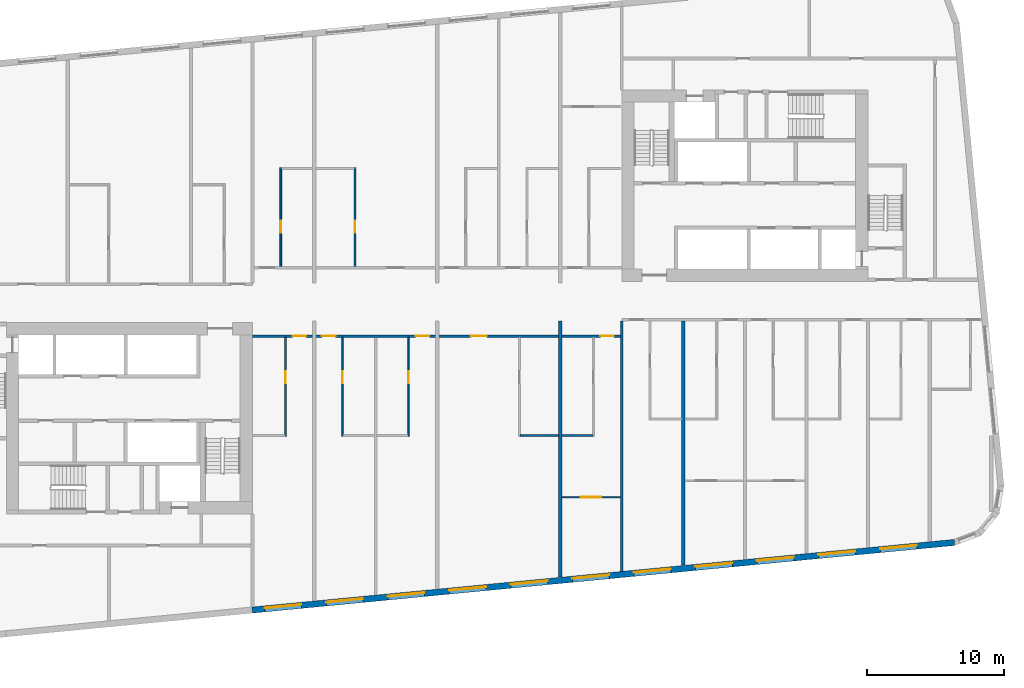
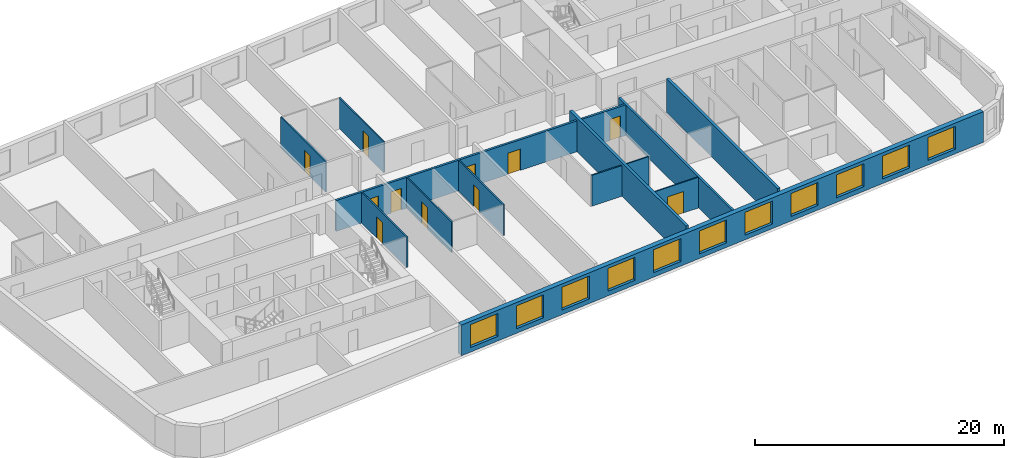
# One storey, part 4 of 12: 13 walls, 11 doors, 11 windows, 22 openings.
"""IFC4 building model written with IfcOpenShell, lengths in metres."""

from ifc_helpers import new_model, si_unit, direction, frame, frame_2d, origin, place, context, subcontext, project, spatial, rectangle, extrude, material, layer, layer_set, type_object, element, fill, save


model = new_model("IFC4")

# Units and contexts
model_context = context("Model", 3, precision=1e-05, world=origin(), true_north=direction((0.0, 1.0)))
body_context = subcontext(model_context, "Body", "Model", "MODEL_VIEW")
ifc_project = project(units=[si_unit("LENGTHUNIT", "METRE"), si_unit("AREAUNIT", "SQUARE_METRE"), si_unit("VOLUMEUNIT", "CUBIC_METRE"), si_unit("PLANEANGLEUNIT", "RADIAN"), si_unit("MASSUNIT", "GRAM", prefix="KILO")], contexts=[model_context])

# Site, building, storey
site_placement = place(None, origin())
site = spatial("IfcSite", under=ifc_project, at=site_placement, CompositionType="ELEMENT")
building_placement = place(site_placement, origin())
building = spatial("IfcBuilding", under=site, at=building_placement, Name="Kajstack Hotel Tower", CompositionType="ELEMENT")
storey_placement = place(building_placement, frame((0.0, 0.0, 193.300048828125)))
storey = spatial("IfcBuildingStorey", under=building, at=storey_placement, Name="L46", CompositionType="ELEMENT", Elevation=193.300048828125)

# Wall, openings, doors
ifc_material_1 = material(Name="Gypsum board on steel studs, mineral wool", Category="steel")
ifc_layer_1 = layer(ifc_material_1, 0.199951171875)
ifc_layer_set_1 = layer_set([ifc_layer_1], Name="Corridor wall 200")
wall_type_1 = type_object("IfcWallType", Name="Corridor wall 200", PredefinedType="PARTITIONING", material=ifc_layer_set_1)
wall_1_placement = place(storey_placement, frame((-13.5, -2.5, 0.0), z_axis=(0.0, 0.0, 1.0), x_axis=(1.0, 0.0, 0.0)))
wall_1 = element("IfcWall", 1, at=wall_1_placement, inside=storey, type_object=wall_type_1, Name="G-wall-L46-026", PredefinedType="PARTITIONING", context=body_context, shape_type="SweptSolid", body=[
    extrude(rectangle(XDim=27.0, YDim=0.199951171875, at=frame_2d((13.5, 0.0))), origin(), (0.0, 0.0, 1.0), 3.02001953125),
])
opening_1_placement = place(wall_1_placement, frame((2.925048828125, 0.0, 0.0)))
opening_1 = element("IfcOpeningElement", 2, at=opening_1_placement, cuts=wall_1, Name="Opening 46020", PredefinedType="OPENING", context=body_context, shape_type="SweptSolid", body=[
    extrude(rectangle(XDim=1.0, YDim=2.10009765625, at=frame_2d((0.5, 1.050048828125))), frame((0.0, 0.10986328125, 0.0), z_axis=(0.0, -1.0, 0.0), x_axis=(1.0, 0.0, 0.0)), (0.0, 0.0, 1.0), 0.219970703125),
])
opening_2_placement = place(wall_1_placement, frame((5.074951171875, 0.0, 0.0)))
opening_2 = element("IfcOpeningElement", 3, at=opening_2_placement, cuts=wall_1, Name="Opening 46022", PredefinedType="OPENING", context=body_context, shape_type="SweptSolid", body=[
    extrude(rectangle(XDim=1.0, YDim=2.10009765625, at=frame_2d((0.5, 1.050048828125))), frame((0.0, 0.10986328125, 0.0), z_axis=(0.0, -1.0, 0.0), x_axis=(1.0, 0.0, 0.0)), (0.0, 0.0, 1.0), 0.219970703125),
])
opening_3_placement = place(wall_1_placement, frame((11.925048828125, 0.0, 0.0)))
opening_3 = element("IfcOpeningElement", 4, at=opening_3_placement, cuts=wall_1, Name="Opening 46024", PredefinedType="OPENING", context=body_context, shape_type="SweptSolid", body=[
    extrude(rectangle(XDim=1.0, YDim=2.10009765625, at=frame_2d((0.5, 1.050048828125))), frame((0.0, 0.10986328125, 0.0), z_axis=(0.0, -1.0, 0.0), x_axis=(1.0, 0.0, 0.0)), (0.0, 0.0, 1.0), 0.219970703125),
])
opening_4_placement = place(wall_1_placement, frame((15.93798828125, 0.0, 0.0)))
opening_4 = element("IfcOpeningElement", 5, at=opening_4_placement, cuts=wall_1, Name="Opening 46026", PredefinedType="OPENING", context=body_context, shape_type="SweptSolid", body=[
    extrude(rectangle(XDim=1.199951171875, YDim=2.10009765625, at=frame_2d((0.60009765625, 1.050048828125))), frame((0.0, 0.10986328125, 0.0), z_axis=(0.0, -1.0, 0.0), x_axis=(1.0, 0.0, 0.0)), (0.0, 0.0, 1.0), 0.219970703125),
])
opening_5_placement = place(wall_1_placement, frame((25.425048828125, 0.0, 0.0)))
opening_5 = element("IfcOpeningElement", 6, at=opening_5_placement, cuts=wall_1, Name="Opening 46028", PredefinedType="OPENING", context=body_context, shape_type="SweptSolid", body=[
    extrude(rectangle(XDim=1.0, YDim=2.10009765625, at=frame_2d((0.5, 1.050048828125))), frame((0.0, 0.10986328125, 0.0), z_axis=(0.0, -1.0, 0.0), x_axis=(1.0, 0.0, 0.0)), (0.0, 0.0, 1.0), 0.219970703125),
])
ifc_material_2 = material(Name="Oak veneer on timber core, fire-rated leaf", Category="wood")
door_type_1 = type_object("IfcDoorType", Name="Flat entrance door 1000", OperationType="SINGLE_SWING_LEFT", PredefinedType="DOOR", material=ifc_material_2)
door_1_placement = place(opening_1_placement, origin())
door_1 = element("IfcDoor", 7, at=door_1_placement, inside=storey, type_object=door_type_1, Name="G-door-L46-20", OperationType="SINGLE_SWING_RIGHT", OverallHeight=2.10009765625, OverallWidth=1.0, PredefinedType="DOOR", context=body_context, shape_type="SweptSolid", body=[
    extrude(rectangle(XDim=1.0, YDim=2.10009765625, at=frame_2d((0.5, 1.050048828125))), frame((0.0, 0.02490234375, 0.0), z_axis=(0.0, -1.0, 0.0), x_axis=(1.0, 0.0, 0.0)), (0.0, 0.0, 1.0), 0.050048828125),
])
fill(opening_1, door_1)
door_2_placement = place(opening_2_placement, origin())
door_2 = element("IfcDoor", 8, at=door_2_placement, inside=storey, type_object=door_type_1, Name="G-door-L46-22", OperationType="SINGLE_SWING_RIGHT", OverallHeight=2.10009765625, OverallWidth=1.0, PredefinedType="DOOR", context=body_context, shape_type="SweptSolid", body=[
    extrude(rectangle(XDim=1.0, YDim=2.10009765625, at=frame_2d((0.5, 1.050048828125))), frame((0.0, 0.02490234375, 0.0), z_axis=(0.0, -1.0, 0.0), x_axis=(1.0, 0.0, 0.0)), (0.0, 0.0, 1.0), 0.050048828125),
])
fill(opening_2, door_2)
door_3_placement = place(opening_3_placement, origin())
door_3 = element("IfcDoor", 9, at=door_3_placement, inside=storey, type_object=door_type_1, Name="G-door-L46-24", OperationType="SINGLE_SWING_LEFT", OverallHeight=2.10009765625, OverallWidth=1.0, PredefinedType="DOOR", context=body_context, shape_type="SweptSolid", body=[
    extrude(rectangle(XDim=1.0, YDim=2.10009765625, at=frame_2d((0.5, 1.050048828125))), frame((0.0, 0.02490234375, 0.0), z_axis=(0.0, -1.0, 0.0), x_axis=(1.0, 0.0, 0.0)), (0.0, 0.0, 1.0), 0.050048828125),
])
fill(opening_3, door_3)
door_4_placement = place(opening_5_placement, origin())
door_4 = element("IfcDoor", 10, at=door_4_placement, inside=storey, type_object=door_type_1, Name="G-door-L46-28", OperationType="SINGLE_SWING_LEFT", OverallHeight=2.10009765625, OverallWidth=1.0, PredefinedType="DOOR", context=body_context, shape_type="SweptSolid", body=[
    extrude(rectangle(XDim=1.0, YDim=2.10009765625, at=frame_2d((0.5, 1.050048828125))), frame((0.0, 0.02490234375, 0.0), z_axis=(0.0, -1.0, 0.0), x_axis=(1.0, 0.0, 0.0)), (0.0, 0.0, 1.0), 0.050048828125),
])
fill(opening_5, door_4)
door_type_2 = type_object("IfcDoorType", Name="Flat entrance door 1200", OperationType="SINGLE_SWING_LEFT", PredefinedType="DOOR", material=ifc_material_2)
door_5_placement = place(opening_4_placement, origin())
door_5 = element("IfcDoor", 11, at=door_5_placement, inside=storey, type_object=door_type_2, Name="G-door-L46-26", OperationType="SINGLE_SWING_LEFT", OverallHeight=2.10009765625, OverallWidth=1.199951171875, PredefinedType="DOOR", context=body_context, shape_type="SweptSolid", body=[
    extrude(rectangle(XDim=1.199951171875, YDim=2.10009765625, at=frame_2d((0.60009765625, 1.050048828125))), frame((0.0, 0.02490234375, 0.0), z_axis=(0.0, -1.0, 0.0), x_axis=(1.0, 0.0, 0.0)), (0.0, 0.0, 1.0), 0.050048828125),
])
fill(opening_4, door_5)

# Wall
ifc_material_3 = material(Name="Twin-frame gypsum board on steel studs, mineral wool", Category="steel")
ifc_layer_2 = layer(ifc_material_3, 0.199951171875)
ifc_layer_set_2 = layer_set([ifc_layer_2], Name="Demising wall 200")
wall_type_2 = type_object("IfcWallType", Name="Demising wall 200", PredefinedType="PARTITIONING", material=ifc_layer_set_2)
wall_2_placement = place(storey_placement, frame((13.5, -19.700927734375, 0.0), z_axis=(0.0, 0.0, 1.0), x_axis=(0.0, 1.0, 0.0)))
element("IfcWall", 12, at=wall_2_placement, inside=storey, type_object=wall_type_2, Name="G-wall-L46-037", PredefinedType="PARTITIONING", context=body_context, shape_type="SweptSolid", body=[
    extrude(rectangle(XDim=18.301025390625, YDim=0.199951171875, at=frame_2d((9.150390625, 0.0))), origin(), (0.0, 0.0, 1.0), 3.02001953125),
])

# Wall, openings, windows
ifc_material_4 = material(Name="Terracotta-faced brick masonry", Category="masonry")
ifc_layer_3 = layer(ifc_material_4, 0.449951171875)
ifc_layer_set_3 = layer_set([ifc_layer_3], Name="EW-TERRA")
wall_type_3 = type_object("IfcWallType", Name="EW-TERRA", PredefinedType="SOLIDWALL", material=ifc_layer_set_3)
wall_3_placement = place(storey_placement, frame((-13.521484375, -22.528564453125, 0.0), z_axis=(0.0, 0.0, 1.0), x_axis=(0.995396436651, 0.095843277819, 0.0)))
wall_3 = element("IfcWall", 13, at=wall_3_placement, inside=storey, type_object=wall_type_3, Name="E-wall-L46-04-02", PredefinedType="SOLIDWALL", context=body_context, shape_type="SweptSolid", body=[
    extrude(rectangle(XDim=51.57763671875, YDim=0.449951171875, at=frame_2d((25.788818359375, 0.0))), origin(), (0.0, 0.0, 1.0), 3.02001953125),
])
opening_6_placement = place(wall_3_placement, frame((0.910400390625, 0.0, 0.449951171875)))
opening_6 = element("IfcOpeningElement", 14, at=opening_6_placement, cuts=wall_3, Name="Opening W1", PredefinedType="OPENING", context=body_context, shape_type="SweptSolid", body=[
    extrude(rectangle(XDim=2.699951171875, YDim=2.25, at=frame_2d((1.35009765625, 1.125))), frame((0.0, 0.23486328125, 0.0), z_axis=(0.0, -1.0, 0.0), x_axis=(1.0, 0.0, 0.0)), (0.0, 0.0, 1.0), 0.469970703125),
])
opening_7_placement = place(wall_3_placement, frame((5.431396484375, 0.0, 0.449951171875)))
opening_7 = element("IfcOpeningElement", 15, at=opening_7_placement, cuts=wall_3, Name="Opening W1", PredefinedType="OPENING", context=body_context, shape_type="SweptSolid", body=[
    extrude(rectangle(XDim=2.699951171875, YDim=2.25, at=frame_2d((1.35009765625, 1.125))), frame((0.0, 0.23486328125, 0.0), z_axis=(0.0, -1.0, 0.0), x_axis=(1.0, 0.0, 0.0)), (0.0, 0.0, 1.0), 0.469970703125),
])
opening_8_placement = place(wall_3_placement, frame((9.9521484375, 0.0, 0.449951171875)))
opening_8 = element("IfcOpeningElement", 16, at=opening_8_placement, cuts=wall_3, Name="Opening W1", PredefinedType="OPENING", context=body_context, shape_type="SweptSolid", body=[
    extrude(rectangle(XDim=2.699951171875, YDim=2.25, at=frame_2d((1.35009765625, 1.125))), frame((0.0, 0.23486328125, 0.0), z_axis=(0.0, -1.0, 0.0), x_axis=(1.0, 0.0, 0.0)), (0.0, 0.0, 1.0), 0.469970703125),
])
opening_9_placement = place(wall_3_placement, frame((14.472900390625, 0.0, 0.449951171875)))
opening_9 = element("IfcOpeningElement", 17, at=opening_9_placement, cuts=wall_3, Name="Opening W1", PredefinedType="OPENING", context=body_context, shape_type="SweptSolid", body=[
    extrude(rectangle(XDim=2.699951171875, YDim=2.25, at=frame_2d((1.35009765625, 1.125))), frame((0.0, 0.23486328125, 0.0), z_axis=(0.0, -1.0, 0.0), x_axis=(1.0, 0.0, 0.0)), (0.0, 0.0, 1.0), 0.469970703125),
])
opening_10_placement = place(wall_3_placement, frame((18.99365234375, 0.0, 0.449951171875)))
opening_10 = element("IfcOpeningElement", 18, at=opening_10_placement, cuts=wall_3, Name="Opening W1", PredefinedType="OPENING", context=body_context, shape_type="SweptSolid", body=[
    extrude(rectangle(XDim=2.699951171875, YDim=2.25, at=frame_2d((1.35009765625, 1.125))), frame((0.0, 0.23486328125, 0.0), z_axis=(0.0, -1.0, 0.0), x_axis=(1.0, 0.0, 0.0)), (0.0, 0.0, 1.0), 0.469970703125),
])
opening_11_placement = place(wall_3_placement, frame((23.514404296875, 0.0, 0.449951171875)))
opening_11 = element("IfcOpeningElement", 19, at=opening_11_placement, cuts=wall_3, Name="Opening W1", PredefinedType="OPENING", context=body_context, shape_type="SweptSolid", body=[
    extrude(rectangle(XDim=2.699951171875, YDim=2.25, at=frame_2d((1.35009765625, 1.125))), frame((0.0, 0.23486328125, 0.0), z_axis=(0.0, -1.0, 0.0), x_axis=(1.0, 0.0, 0.0)), (0.0, 0.0, 1.0), 0.469970703125),
])
opening_12_placement = place(wall_3_placement, frame((28.035400390625, 0.0, 0.449951171875)))
opening_12 = element("IfcOpeningElement", 20, at=opening_12_placement, cuts=wall_3, Name="Opening W1", PredefinedType="OPENING", context=body_context, shape_type="SweptSolid", body=[
    extrude(rectangle(XDim=2.699951171875, YDim=2.25, at=frame_2d((1.35009765625, 1.125))), frame((0.0, 0.23486328125, 0.0), z_axis=(0.0, -1.0, 0.0), x_axis=(1.0, 0.0, 0.0)), (0.0, 0.0, 1.0), 0.469970703125),
])
opening_13_placement = place(wall_3_placement, frame((32.55615234375, 0.0, 0.449951171875)))
opening_13 = element("IfcOpeningElement", 21, at=opening_13_placement, cuts=wall_3, Name="Opening W1", PredefinedType="OPENING", context=body_context, shape_type="SweptSolid", body=[
    extrude(rectangle(XDim=2.699951171875, YDim=2.25, at=frame_2d((1.35009765625, 1.125))), frame((0.0, 0.23486328125, 0.0), z_axis=(0.0, -1.0, 0.0), x_axis=(1.0, 0.0, 0.0)), (0.0, 0.0, 1.0), 0.469970703125),
])
opening_14_placement = place(wall_3_placement, frame((37.076904296875, 0.0, 0.449951171875)))
opening_14 = element("IfcOpeningElement", 22, at=opening_14_placement, cuts=wall_3, Name="Opening W1", PredefinedType="OPENING", context=body_context, shape_type="SweptSolid", body=[
    extrude(rectangle(XDim=2.699951171875, YDim=2.25, at=frame_2d((1.35009765625, 1.125))), frame((0.0, 0.23486328125, 0.0), z_axis=(0.0, -1.0, 0.0), x_axis=(1.0, 0.0, 0.0)), (0.0, 0.0, 1.0), 0.469970703125),
])
opening_15_placement = place(wall_3_placement, frame((41.597900390625, 0.0, 0.449951171875)))
opening_15 = element("IfcOpeningElement", 23, at=opening_15_placement, cuts=wall_3, Name="Opening W1", PredefinedType="OPENING", context=body_context, shape_type="SweptSolid", body=[
    extrude(rectangle(XDim=2.699951171875, YDim=2.25, at=frame_2d((1.35009765625, 1.125))), frame((0.0, 0.23486328125, 0.0), z_axis=(0.0, -1.0, 0.0), x_axis=(1.0, 0.0, 0.0)), (0.0, 0.0, 1.0), 0.469970703125),
])
opening_16_placement = place(wall_3_placement, frame((46.11865234375, 0.0, 0.449951171875)))
opening_16 = element("IfcOpeningElement", 24, at=opening_16_placement, cuts=wall_3, Name="Opening W1", PredefinedType="OPENING", context=body_context, shape_type="SweptSolid", body=[
    extrude(rectangle(XDim=2.699951171875, YDim=2.25, at=frame_2d((1.35009765625, 1.125))), frame((0.0, 0.23486328125, 0.0), z_axis=(0.0, -1.0, 0.0), x_axis=(1.0, 0.0, 0.0)), (0.0, 0.0, 1.0), 0.469970703125),
])
ifc_material_5 = material(Name="Timber-aluminium window, triple glazed", Category="wood")
window_type = type_object("IfcWindowType", Name="WG1", PartitioningType="SINGLE_PANEL", PredefinedType="WINDOW", material=ifc_material_5)
window_1_placement = place(opening_6_placement, origin())
window_1 = element("IfcWindow", 25, at=window_1_placement, inside=storey, type_object=window_type, Name="Window W1 L46-04", OverallHeight=2.25, OverallWidth=2.699951171875, PartitioningType="SINGLE_PANEL", PredefinedType="WINDOW", context=body_context, shape_type="SweptSolid", body=[
    extrude(rectangle(XDim=2.699951171875, YDim=2.25, at=frame_2d((1.35009765625, 1.125))), frame((0.0, 0.090087890625, 0.0), z_axis=(0.0, -1.0, 0.0), x_axis=(1.0, 0.0, 0.0)), (0.0, 0.0, 1.0), 0.06005859375),
])
fill(opening_6, window_1)
window_2_placement = place(opening_7_placement, origin())
window_2 = element("IfcWindow", 26, at=window_2_placement, inside=storey, type_object=window_type, Name="Window W1 L46-04", OverallHeight=2.25, OverallWidth=2.699951171875, PartitioningType="SINGLE_PANEL", PredefinedType="WINDOW", context=body_context, shape_type="SweptSolid", body=[
    extrude(rectangle(XDim=2.699951171875, YDim=2.25, at=frame_2d((1.35009765625, 1.125))), frame((0.0, 0.090087890625, 0.0), z_axis=(0.0, -1.0, 0.0), x_axis=(1.0, 0.0, 0.0)), (0.0, 0.0, 1.0), 0.06005859375),
])
fill(opening_7, window_2)
window_3_placement = place(opening_8_placement, origin())
window_3 = element("IfcWindow", 27, at=window_3_placement, inside=storey, type_object=window_type, Name="Window W1 L46-04", OverallHeight=2.25, OverallWidth=2.699951171875, PartitioningType="SINGLE_PANEL", PredefinedType="WINDOW", context=body_context, shape_type="SweptSolid", body=[
    extrude(rectangle(XDim=2.699951171875, YDim=2.25, at=frame_2d((1.35009765625, 1.125))), frame((0.0, 0.090087890625, 0.0), z_axis=(0.0, -1.0, 0.0), x_axis=(1.0, 0.0, 0.0)), (0.0, 0.0, 1.0), 0.06005859375),
])
fill(opening_8, window_3)
window_4_placement = place(opening_9_placement, origin())
window_4 = element("IfcWindow", 28, at=window_4_placement, inside=storey, type_object=window_type, Name="Window W1 L46-04", OverallHeight=2.25, OverallWidth=2.699951171875, PartitioningType="SINGLE_PANEL", PredefinedType="WINDOW", context=body_context, shape_type="SweptSolid", body=[
    extrude(rectangle(XDim=2.699951171875, YDim=2.25, at=frame_2d((1.35009765625, 1.125))), frame((0.0, 0.090087890625, 0.0), z_axis=(0.0, -1.0, 0.0), x_axis=(1.0, 0.0, 0.0)), (0.0, 0.0, 1.0), 0.06005859375),
])
fill(opening_9, window_4)
window_5_placement = place(opening_10_placement, origin())
window_5 = element("IfcWindow", 29, at=window_5_placement, inside=storey, type_object=window_type, Name="Window W1 L46-04", OverallHeight=2.25, OverallWidth=2.699951171875, PartitioningType="SINGLE_PANEL", PredefinedType="WINDOW", context=body_context, shape_type="SweptSolid", body=[
    extrude(rectangle(XDim=2.699951171875, YDim=2.25, at=frame_2d((1.35009765625, 1.125))), frame((0.0, 0.090087890625, 0.0), z_axis=(0.0, -1.0, 0.0), x_axis=(1.0, 0.0, 0.0)), (0.0, 0.0, 1.0), 0.06005859375),
])
fill(opening_10, window_5)
window_6_placement = place(opening_11_placement, origin())
window_6 = element("IfcWindow", 30, at=window_6_placement, inside=storey, type_object=window_type, Name="Window W1 L46-04", OverallHeight=2.25, OverallWidth=2.699951171875, PartitioningType="SINGLE_PANEL", PredefinedType="WINDOW", context=body_context, shape_type="SweptSolid", body=[
    extrude(rectangle(XDim=2.699951171875, YDim=2.25, at=frame_2d((1.35009765625, 1.125))), frame((0.0, 0.090087890625, 0.0), z_axis=(0.0, -1.0, 0.0), x_axis=(1.0, 0.0, 0.0)), (0.0, 0.0, 1.0), 0.06005859375),
])
fill(opening_11, window_6)
window_7_placement = place(opening_12_placement, origin())
window_7 = element("IfcWindow", 31, at=window_7_placement, inside=storey, type_object=window_type, Name="Window W1 L46-04", OverallHeight=2.25, OverallWidth=2.699951171875, PartitioningType="SINGLE_PANEL", PredefinedType="WINDOW", context=body_context, shape_type="SweptSolid", body=[
    extrude(rectangle(XDim=2.699951171875, YDim=2.25, at=frame_2d((1.35009765625, 1.125))), frame((0.0, 0.090087890625, 0.0), z_axis=(0.0, -1.0, 0.0), x_axis=(1.0, 0.0, 0.0)), (0.0, 0.0, 1.0), 0.06005859375),
])
fill(opening_12, window_7)
window_8_placement = place(opening_13_placement, origin())
window_8 = element("IfcWindow", 32, at=window_8_placement, inside=storey, type_object=window_type, Name="Window W1 L46-04", OverallHeight=2.25, OverallWidth=2.699951171875, PartitioningType="SINGLE_PANEL", PredefinedType="WINDOW", context=body_context, shape_type="SweptSolid", body=[
    extrude(rectangle(XDim=2.699951171875, YDim=2.25, at=frame_2d((1.35009765625, 1.125))), frame((0.0, 0.090087890625, 0.0), z_axis=(0.0, -1.0, 0.0), x_axis=(1.0, 0.0, 0.0)), (0.0, 0.0, 1.0), 0.06005859375),
])
fill(opening_13, window_8)
window_9_placement = place(opening_14_placement, origin())
window_9 = element("IfcWindow", 33, at=window_9_placement, inside=storey, type_object=window_type, Name="Window W1 L46-04", OverallHeight=2.25, OverallWidth=2.699951171875, PartitioningType="SINGLE_PANEL", PredefinedType="WINDOW", context=body_context, shape_type="SweptSolid", body=[
    extrude(rectangle(XDim=2.699951171875, YDim=2.25, at=frame_2d((1.35009765625, 1.125))), frame((0.0, 0.090087890625, 0.0), z_axis=(0.0, -1.0, 0.0), x_axis=(1.0, 0.0, 0.0)), (0.0, 0.0, 1.0), 0.06005859375),
])
fill(opening_14, window_9)
window_10_placement = place(opening_15_placement, origin())
window_10 = element("IfcWindow", 34, at=window_10_placement, inside=storey, type_object=window_type, Name="Window W1 L46-04", OverallHeight=2.25, OverallWidth=2.699951171875, PartitioningType="SINGLE_PANEL", PredefinedType="WINDOW", context=body_context, shape_type="SweptSolid", body=[
    extrude(rectangle(XDim=2.699951171875, YDim=2.25, at=frame_2d((1.35009765625, 1.125))), frame((0.0, 0.090087890625, 0.0), z_axis=(0.0, -1.0, 0.0), x_axis=(1.0, 0.0, 0.0)), (0.0, 0.0, 1.0), 0.06005859375),
])
fill(opening_15, window_10)
window_11_placement = place(opening_16_placement, origin())
window_11 = element("IfcWindow", 35, at=window_11_placement, inside=storey, type_object=window_type, Name="Window W1 L46-04", OverallHeight=2.25, OverallWidth=2.699951171875, PartitioningType="SINGLE_PANEL", PredefinedType="WINDOW", context=body_context, shape_type="SweptSolid", body=[
    extrude(rectangle(XDim=2.699951171875, YDim=2.25, at=frame_2d((1.35009765625, 1.125))), frame((0.0, 0.090087890625, 0.0), z_axis=(0.0, -1.0, 0.0), x_axis=(1.0, 0.0, 0.0)), (0.0, 0.0, 1.0), 0.06005859375),
])
fill(opening_16, window_11)

# Wall, opening, door
ifc_material_6 = material(Name="Gypsum board and tiled backer on steel studs", Category="steel")
ifc_layer_4 = layer(ifc_material_6, 0.125)
ifc_layer_set_4 = layer_set([ifc_layer_4], Name="En-suite wall 125")
wall_type_4 = type_object("IfcWallType", Name="En-suite wall 125", PredefinedType="PARTITIONING", material=ifc_layer_set_4)
wall_4_placement = place(storey_placement, frame((-11.43798828125, 2.60009765625, 0.0), z_axis=(0.0, 0.0, 1.0), x_axis=(0.0, 1.0, 0.0)))
wall_4 = element("IfcWall", 36, at=wall_4_placement, inside=storey, type_object=wall_type_4, Name="G-wall-L46-014", PredefinedType="PARTITIONING", context=body_context, shape_type="SweptSolid", body=[
    extrude(rectangle(XDim=7.224853515625, YDim=0.125, at=frame_2d((3.6123046875, 0.0))), origin(), (0.0, 0.0, 1.0), 3.02001953125),
])
opening_17_placement = place(wall_4_placement, frame((2.449951171875, 0.0, 0.0)))
opening_17 = element("IfcOpeningElement", 37, at=opening_17_placement, cuts=wall_4, Name="Opening 46010", PredefinedType="OPENING", context=body_context, shape_type="SweptSolid", body=[
    extrude(rectangle(XDim=0.89990234375, YDim=2.10009765625, at=frame_2d((0.449951171875, 1.050048828125))), frame((0.0, 0.072509765625, 0.0), z_axis=(0.0, -1.0, 0.0), x_axis=(1.0, 0.0, 0.0)), (0.0, 0.0, 1.0), 0.14501953125),
])
ifc_material_7 = material(Name="Painted timber door leaf", Category="wood")
door_type_3 = type_object("IfcDoorType", Name="Room door 900", OperationType="SINGLE_SWING_LEFT", PredefinedType="DOOR", material=ifc_material_7)
door_6_placement = place(opening_17_placement, origin())
door_6 = element("IfcDoor", 38, at=door_6_placement, inside=storey, type_object=door_type_3, Name="G-door-L46-10", OperationType="SINGLE_SWING_RIGHT", OverallHeight=2.10009765625, OverallWidth=0.89990234375, PredefinedType="DOOR", context=body_context, shape_type="SweptSolid", body=[
    extrude(rectangle(XDim=0.89990234375, YDim=2.10009765625, at=frame_2d((0.449951171875, 1.050048828125))), frame((0.0, 0.02490234375, 0.0), z_axis=(0.0, -1.0, 0.0), x_axis=(1.0, 0.0, 0.0)), (0.0, 0.0, 1.0), 0.050048828125),
])
fill(opening_17, door_6)

wall_5_placement = place(storey_placement, frame((-6.012939453125, 2.60009765625, 0.0), z_axis=(0.0, 0.0, 1.0), x_axis=(0.0, 1.0, 0.0)))
wall_5 = element("IfcWall", 39, at=wall_5_placement, inside=storey, type_object=wall_type_4, Name="G-wall-L46-016", PredefinedType="PARTITIONING", context=body_context, shape_type="SweptSolid", body=[
    extrude(rectangle(XDim=7.224853515625, YDim=0.125, at=frame_2d((3.6123046875, 0.0))), origin(), (0.0, 0.0, 1.0), 3.02001953125),
])
opening_18_placement = place(wall_5_placement, frame((2.449951171875, 0.0, 0.0)))
opening_18 = element("IfcOpeningElement", 40, at=opening_18_placement, cuts=wall_5, Name="Opening 46012", PredefinedType="OPENING", context=body_context, shape_type="SweptSolid", body=[
    extrude(rectangle(XDim=0.89990234375, YDim=2.10009765625, at=frame_2d((0.449951171875, 1.050048828125))), frame((0.0, 0.072509765625, 0.0), z_axis=(0.0, -1.0, 0.0), x_axis=(1.0, 0.0, 0.0)), (0.0, 0.0, 1.0), 0.14501953125),
])
door_7_placement = place(opening_18_placement, origin())
door_7 = element("IfcDoor", 41, at=door_7_placement, inside=storey, type_object=door_type_3, Name="G-door-L46-12", OperationType="SINGLE_SWING_RIGHT", OverallHeight=2.10009765625, OverallWidth=0.89990234375, PredefinedType="DOOR", context=body_context, shape_type="SweptSolid", body=[
    extrude(rectangle(XDim=0.89990234375, YDim=2.10009765625, at=frame_2d((0.449951171875, 1.050048828125))), frame((0.0, 0.02490234375, 0.0), z_axis=(0.0, -1.0, 0.0), x_axis=(1.0, 0.0, 0.0)), (0.0, 0.0, 1.0), 0.050048828125),
])
fill(opening_18, door_7)

wall_6_placement = place(storey_placement, frame((-11.087890625, -9.824951171875, 0.0), z_axis=(0.0, 0.0, 1.0), x_axis=(0.0, 1.0, 0.0)))
wall_6 = element("IfcWall", 42, at=wall_6_placement, inside=storey, type_object=wall_type_4, Name="G-wall-L46-028", PredefinedType="PARTITIONING", context=body_context, shape_type="SweptSolid", body=[
    extrude(rectangle(XDim=7.224853515625, YDim=0.125, at=frame_2d((3.6123046875, 0.0))), origin(), (0.0, 0.0, 1.0), 3.02001953125),
])
opening_19_placement = place(wall_6_placement, frame((3.875, 0.0, 0.0)))
opening_19 = element("IfcOpeningElement", 43, at=opening_19_placement, cuts=wall_6, Name="Opening 46021", PredefinedType="OPENING", context=body_context, shape_type="SweptSolid", body=[
    extrude(rectangle(XDim=0.89990234375, YDim=2.10009765625, at=frame_2d((0.449951171875, 1.050048828125))), frame((0.0, 0.072509765625, 0.0), z_axis=(0.0, -1.0, 0.0), x_axis=(1.0, 0.0, 0.0)), (0.0, 0.0, 1.0), 0.14501953125),
])
door_8_placement = place(opening_19_placement, origin())
door_8 = element("IfcDoor", 44, at=door_8_placement, inside=storey, type_object=door_type_3, Name="G-door-L46-21", OperationType="SINGLE_SWING_RIGHT", OverallHeight=2.10009765625, OverallWidth=0.89990234375, PredefinedType="DOOR", context=body_context, shape_type="SweptSolid", body=[
    extrude(rectangle(XDim=0.89990234375, YDim=2.10009765625, at=frame_2d((0.449951171875, 1.050048828125))), frame((0.0, 0.02490234375, 0.0), z_axis=(0.0, -1.0, 0.0), x_axis=(1.0, 0.0, 0.0)), (0.0, 0.0, 1.0), 0.050048828125),
])
fill(opening_19, door_8)

wall_7_placement = place(storey_placement, frame((-6.912109375, -9.824951171875, 0.0), z_axis=(0.0, 0.0, 1.0), x_axis=(0.0, 1.0, 0.0)))
wall_7 = element("IfcWall", 45, at=wall_7_placement, inside=storey, type_object=wall_type_4, Name="G-wall-L46-031", PredefinedType="PARTITIONING", context=body_context, shape_type="SweptSolid", body=[
    extrude(rectangle(XDim=7.224853515625, YDim=0.125, at=frame_2d((3.6123046875, 0.0))), origin(), (0.0, 0.0, 1.0), 3.02001953125),
])
opening_20_placement = place(wall_7_placement, frame((3.875, 0.0, 0.0)))
opening_20 = element("IfcOpeningElement", 46, at=opening_20_placement, cuts=wall_7, Name="Opening 46023", PredefinedType="OPENING", context=body_context, shape_type="SweptSolid", body=[
    extrude(rectangle(XDim=0.89990234375, YDim=2.10009765625, at=frame_2d((0.449951171875, 1.050048828125))), frame((0.0, 0.072509765625, 0.0), z_axis=(0.0, -1.0, 0.0), x_axis=(1.0, 0.0, 0.0)), (0.0, 0.0, 1.0), 0.14501953125),
])
door_9_placement = place(opening_20_placement, origin())
door_9 = element("IfcDoor", 47, at=door_9_placement, inside=storey, type_object=door_type_3, Name="G-door-L46-23", OperationType="SINGLE_SWING_LEFT", OverallHeight=2.10009765625, OverallWidth=0.89990234375, PredefinedType="DOOR", context=body_context, shape_type="SweptSolid", body=[
    extrude(rectangle(XDim=0.89990234375, YDim=2.10009765625, at=frame_2d((0.449951171875, 1.050048828125))), frame((0.0, 0.02490234375, 0.0), z_axis=(0.0, -1.0, 0.0), x_axis=(1.0, 0.0, 0.0)), (0.0, 0.0, 1.0), 0.050048828125),
])
fill(opening_20, door_9)

wall_8_placement = place(storey_placement, frame((-2.0869140625, -9.824951171875, 0.0), z_axis=(0.0, 0.0, 1.0), x_axis=(0.0, 1.0, 0.0)))
wall_8 = element("IfcWall", 48, at=wall_8_placement, inside=storey, type_object=wall_type_4, Name="G-wall-L46-033", PredefinedType="PARTITIONING", context=body_context, shape_type="SweptSolid", body=[
    extrude(rectangle(XDim=7.224853515625, YDim=0.125, at=frame_2d((3.6123046875, 0.0))), origin(), (0.0, 0.0, 1.0), 3.02001953125),
])
opening_21_placement = place(wall_8_placement, frame((3.875, 0.0, 0.0)))
opening_21 = element("IfcOpeningElement", 49, at=opening_21_placement, cuts=wall_8, Name="Opening 46025", PredefinedType="OPENING", context=body_context, shape_type="SweptSolid", body=[
    extrude(rectangle(XDim=0.89990234375, YDim=2.10009765625, at=frame_2d((0.449951171875, 1.050048828125))), frame((0.0, 0.072509765625, 0.0), z_axis=(0.0, -1.0, 0.0), x_axis=(1.0, 0.0, 0.0)), (0.0, 0.0, 1.0), 0.14501953125),
])
door_10_placement = place(opening_21_placement, origin())
door_10 = element("IfcDoor", 50, at=door_10_placement, inside=storey, type_object=door_type_3, Name="G-door-L46-25", OperationType="SINGLE_SWING_LEFT", OverallHeight=2.10009765625, OverallWidth=0.89990234375, PredefinedType="DOOR", context=body_context, shape_type="SweptSolid", body=[
    extrude(rectangle(XDim=0.89990234375, YDim=2.10009765625, at=frame_2d((0.449951171875, 1.050048828125))), frame((0.0, 0.02490234375, 0.0), z_axis=(0.0, -1.0, 0.0), x_axis=(1.0, 0.0, 0.0)), (0.0, 0.0, 1.0), 0.050048828125),
])
fill(opening_21, door_10)

# Walls
wall_9_placement = place(storey_placement, frame((6.074951171875, -9.761962890625, 0.0), z_axis=(0.0, 0.0, 1.0), x_axis=(1.0, 0.0, 0.0)))
element("IfcWall", 51, at=wall_9_placement, inside=storey, type_object=wall_type_4, Name="G-wall-L46-036", PredefinedType="PARTITIONING", context=body_context, shape_type="SweptSolid", body=[
    extrude(rectangle(XDim=2.800048828125, YDim=0.125, at=frame_2d((1.39990234375, 0.0))), origin(), (0.0, 0.0, 1.0), 3.02001953125),
])
wall_10_placement = place(storey_placement, frame((9.125, -9.761962890625, 0.0), z_axis=(0.0, 0.0, 1.0), x_axis=(1.0, 0.0, 0.0)))
element("IfcWall", 52, at=wall_10_placement, inside=storey, type_object=wall_type_4, Name="G-wall-L46-039", PredefinedType="PARTITIONING", context=body_context, shape_type="SweptSolid", body=[
    extrude(rectangle(XDim=2.25, YDim=0.125, at=frame_2d((1.125, 0.0))), origin(), (0.0, 0.0, 1.0), 3.02001953125),
])

# Wall, opening, door
ifc_material_8 = material(Name="Gypsum board on steel studs", Category="steel")
ifc_layer_5 = layer(ifc_material_8, 0.10009765625)
ifc_layer_set_5 = layer_set([ifc_layer_5], Name="Partition 100")
wall_type_5 = type_object("IfcWallType", Name="Partition 100", PredefinedType="PARTITIONING", material=ifc_layer_set_5)
wall_11_placement = place(storey_placement, frame((9.125, -14.27490234375, 0.0), z_axis=(0.0, 0.0, 1.0), x_axis=(1.0, 0.0, 0.0)))
wall_11 = element("IfcWall", 53, at=wall_11_placement, inside=storey, type_object=wall_type_5, Name="G-wall-L46-040", PredefinedType="PARTITIONING", context=body_context, shape_type="SweptSolid", body=[
    extrude(rectangle(XDim=4.27490234375, YDim=0.10009765625, at=frame_2d((2.137451171875, 0.0))), origin(), (0.0, 0.0, 1.0), 3.02001953125),
])
opening_22_placement = place(wall_11_placement, frame((1.386962890625, 0.0, 0.0)))
opening_22 = element("IfcOpeningElement", 54, at=opening_22_placement, cuts=wall_11, Name="Opening 46030", PredefinedType="OPENING", context=body_context, shape_type="SweptSolid", body=[
    extrude(rectangle(XDim=1.5, YDim=2.10009765625, at=frame_2d((0.75, 1.050048828125))), frame((0.0, 0.06005859375, 0.0), z_axis=(0.0, -1.0, 0.0), x_axis=(1.0, 0.0, 0.0)), (0.0, 0.0, 1.0), 0.1201171875),
])
ifc_material_9 = material(Name="Painted timber door leaves, glazed panels", Category="wood")
door_type_4 = type_object("IfcDoorType", Name="Double door 1500", OperationType="SINGLE_SWING_LEFT", PredefinedType="DOOR", material=ifc_material_9)
door_11_placement = place(opening_22_placement, origin())
door_11 = element("IfcDoor", 55, at=door_11_placement, inside=storey, type_object=door_type_4, Name="G-door-L46-30", OperationType="SINGLE_SWING_RIGHT", OverallHeight=2.10009765625, OverallWidth=1.5, PredefinedType="DOOR", context=body_context, shape_type="SweptSolid", body=[
    extrude(rectangle(XDim=1.5, YDim=2.10009765625, at=frame_2d((0.75, 1.050048828125))), frame((0.0, 0.02490234375, 0.0), z_axis=(0.0, -1.0, 0.0), x_axis=(1.0, 0.0, 0.0)), (0.0, 0.0, 1.0), 0.050048828125),
])
fill(opening_22, door_11)

# Walls
ifc_material_10 = material(Name="Concrete C50/60", Category="concrete")
ifc_layer_6 = layer(ifc_material_10, 0.25)
ifc_layer_set_6 = layer_set([ifc_layer_6], Name="RC cross wall 250 C50/60")
wall_type_6 = type_object("IfcWallType", Name="RC cross wall 250 C50/60", PredefinedType="SHEAR", material=ifc_layer_set_6)
wall_12_placement = place(storey_placement, frame((9.0, -20.11181640625, 0.0), z_axis=(0.0, 0.0, 1.0), x_axis=(0.0, 1.0, 0.0)))
element("IfcWall", 56, at=wall_12_placement, inside=storey, type_object=wall_type_6, Name="S-wall-L46-08", PredefinedType="SHEAR", context=body_context, shape_type="SweptSolid", body=[
    extrude(rectangle(XDim=18.7119140625, YDim=0.25, at=frame_2d((9.35595703125, 0.0))), origin(), (0.0, 0.0, 1.0), 3.300048828125),
])
wall_13_placement = place(storey_placement, frame((18.0, -19.245361328125, 0.0), z_axis=(0.0, 0.0, 1.0), x_axis=(0.0, 1.0, 0.0)))
element("IfcWall", 57, at=wall_13_placement, inside=storey, type_object=wall_type_6, Name="S-wall-L46-10", PredefinedType="SHEAR", context=body_context, shape_type="SweptSolid", body=[
    extrude(rectangle(XDim=17.845458984375, YDim=0.25, at=frame_2d((8.9228515625, 0.0))), origin(), (0.0, 0.0, 1.0), 3.300048828125),
])

save(model, "model.ifc")
